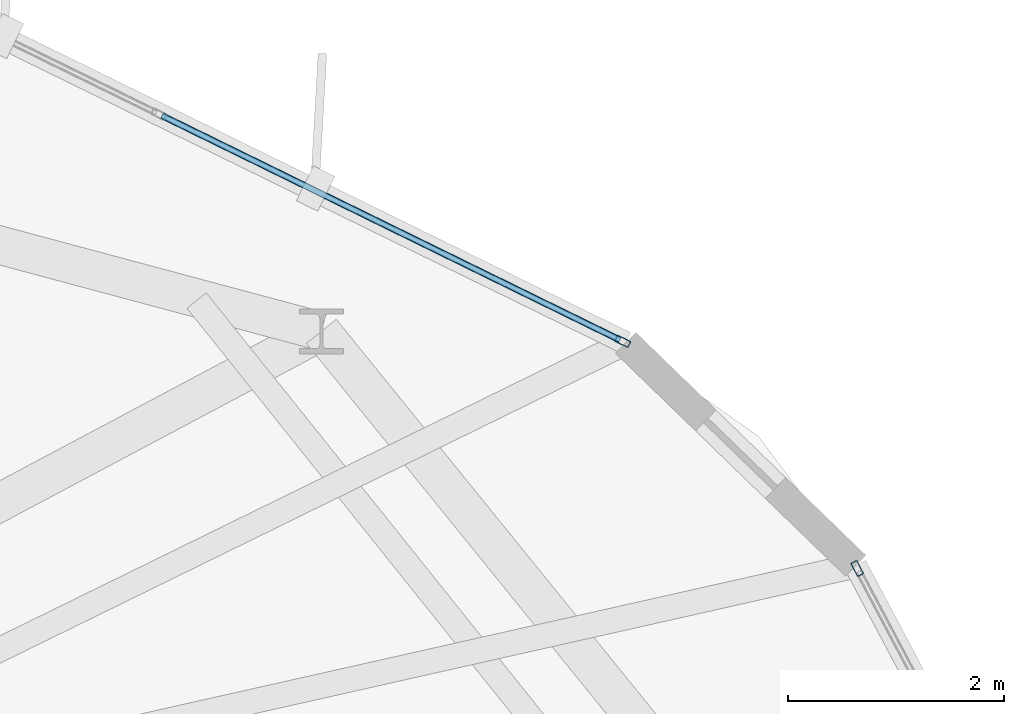
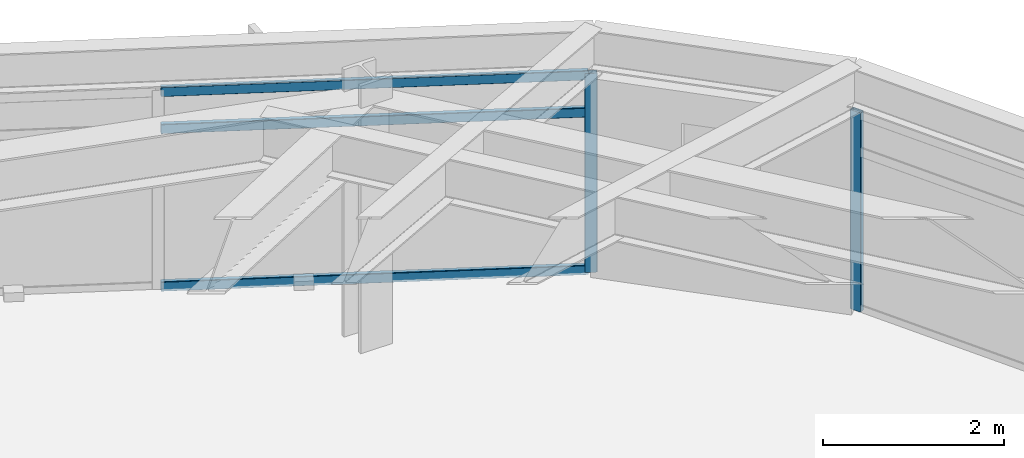
# One storey, part 21 of 28: 5 members, 2 elements without a shape of their own.
"""IFC4 building model written with IfcOpenShell, lengths in metres."""

from ifc_helpers import new_model, si_unit, direction, frame, origin, origin_2d, place, context, subcontext, project, spatial, hollow_rectangle, extrude, material, layer, layer_set, material_profile, profile_set, type_object, element, aggregate, save


model = new_model("IFC4")

# Units and contexts
model_context = context("Model", 3, precision=1e-05, world=origin(), true_north=direction((0.0, 1.0)))
body_context = subcontext(model_context, "Body", "Model", "MODEL_VIEW")
ifc_project = project(units=[si_unit("LENGTHUNIT", "METRE"), si_unit("AREAUNIT", "SQUARE_METRE"), si_unit("VOLUMEUNIT", "CUBIC_METRE"), si_unit("PLANEANGLEUNIT", "RADIAN"), si_unit("MASSUNIT", "GRAM", prefix="KILO")], contexts=[model_context])

# Site, building, storey
site_placement = place(None, origin())
site = spatial("IfcSite", under=ifc_project, at=site_placement, CompositionType="ELEMENT")
building_placement = place(site_placement, origin())
building = spatial("IfcBuilding", under=site, at=building_placement, Name="Soratama Intermodal Tower", CompositionType="ELEMENT")
storey_placement = place(building_placement, frame((0.0, 0.0, 201.39990234375)))
storey = spatial("IfcBuildingStorey", under=building, at=storey_placement, Name="L50", CompositionType="ELEMENT", Elevation=201.39990234375)

# Curtain wall, member
ifc_material_1 = material(Name="Double-glazed aluminium curtain wall", Category="aluminium")
ifc_layer = layer(ifc_material_1, 0.159912109375)
ifc_layer_set = layer_set([ifc_layer], Name="Double-glazed aluminium curtain wall")
curtain_wall_type = type_object("IfcCurtainWallType", Name="CW-SYS-5", PredefinedType="NOTDEFINED", material=ifc_layer_set)
curtain_wall_1_placement = place(storey_placement, origin())
curtain_wall_1 = element("IfcCurtainWall", 1, at=curtain_wall_1_placement, inside=storey, type_object=curtain_wall_type, Name="L50 Faceted Curtain Wall F01", PredefinedType="NOTDEFINED")
ifc_material_2 = material(Name="Anodised aluminium AA 6063-T6", Category="aluminium")
ifc_material_profile_1 = material_profile(ifc_material_2, hollow_rectangle(XDim=0.06494140625, YDim=0.139892578125, WallThickness=0.0048828125, InnerFilletRadius=0.0048828125, OuterFilletRadius=0.010009765625, at=origin_2d()), Name="CWM140X65X5")
ifc_profile_set_1 = profile_set([ifc_material_profile_1], Name="Anodised aluminium AA 6063-T6")
member_type_1 = type_object("IfcMemberType", Name="MT-CWM-5", PredefinedType="MULLION", material=ifc_profile_set_1)
member_1_placement = place(storey_placement, frame((57.921630859375, 40.506591796875, 0.0), z_axis=(0.0, 0.0, 1.0), x_axis=(-0.439937909468, -0.898028193217, 0.0)))
member_1 = element("IfcMember", 2, at=member_1_placement, type_object=member_type_1, Name="CW-5 mullion 1", PredefinedType="MULLION", context=body_context, shape_type="SweptSolid", body=[
    extrude(hollow_rectangle(XDim=0.06494140625, YDim=0.139892578125, WallThickness=0.0048828125, InnerFilletRadius=0.0048828125, OuterFilletRadius=0.010009765625, at=origin_2d()), origin(), (0.0, 0.0, 1.0), 2.67919921875),
])

curtain_wall_2_placement = place(storey_placement, origin())
curtain_wall_2 = element("IfcCurtainWall", 3, at=curtain_wall_2_placement, inside=storey, type_object=curtain_wall_type, Name="L50 Faceted Curtain Wall F10", PredefinedType="NOTDEFINED")
member_2_placement = place(storey_placement, frame((60.093017578125, 38.40234375, 0.0), z_axis=(0.0, 0.0, 1.0), x_axis=(-0.883764662707, -0.467931641321, 0.0)))
member_2 = element("IfcMember", 4, at=member_2_placement, type_object=member_type_1, Name="CW-5 mullion 3", PredefinedType="MULLION", context=body_context, shape_type="SweptSolid", body=[
    extrude(hollow_rectangle(XDim=0.06494140625, YDim=0.139892578125, WallThickness=0.0048828125, InnerFilletRadius=0.0048828125, OuterFilletRadius=0.010009765625, at=origin_2d()), origin(), (0.0, 0.0, 1.0), 2.67919921875),
])
aggregate(curtain_wall_2, [member_2])

# Member
ifc_material_3 = material(Name="Anodised aluminium AA 6063-T6", Category="aluminium")
ifc_material_profile_2 = material_profile(ifc_material_3, hollow_rectangle(XDim=0.06005859375, YDim=0.1298828125, WallThickness=0.0048828125, InnerFilletRadius=0.0048828125, OuterFilletRadius=0.010009765625, at=origin_2d()), Name="CWT130X60X5")
ifc_profile_set_2 = profile_set([ifc_material_profile_2], Name="Anodised aluminium AA 6063-T6")
member_type_2 = type_object("IfcMemberType", Name="TT-CWT-2", PredefinedType="USERDEFINED", material=ifc_profile_set_2)
member_3_placement = place(storey_placement, frame((57.89453125, 40.519775390625, 0.030029296875), z_axis=(-0.898027275491, 0.439939782783, 0.0), x_axis=(-0.439939782783, -0.898027275491, 0.0)))
member_3 = element("IfcMember", 5, at=member_3_placement, type_object=member_type_2, Name="CW-5 transom 1.1", ObjectType="TRANSOM", PredefinedType="USERDEFINED", context=body_context, shape_type="SweptSolid", body=[
    extrude(hollow_rectangle(XDim=0.06005859375, YDim=0.1298828125, WallThickness=0.0048828125, InnerFilletRadius=0.0048828125, OuterFilletRadius=0.010009765625, at=origin_2d()), origin(), (0.0, 0.0, 1.0), 4.721923828125),
])

member_4_placement = place(storey_placement, frame((57.89453125, 40.519775390625, 2.150146484375), z_axis=(-0.898027275491, 0.439939782783, 0.0), x_axis=(-0.439939782783, -0.898027275491, 0.0)))
member_4 = element("IfcMember", 6, at=member_4_placement, type_object=member_type_2, Name="CW-5 transom 1.2", ObjectType="TRANSOM", PredefinedType="USERDEFINED", context=body_context, shape_type="SweptSolid", body=[
    extrude(hollow_rectangle(XDim=0.06005859375, YDim=0.1298828125, WallThickness=0.0048828125, InnerFilletRadius=0.0048828125, OuterFilletRadius=0.010009765625, at=origin_2d()), origin(), (0.0, 0.0, 1.0), 4.721923828125),
])

member_5_placement = place(storey_placement, frame((57.89453125, 40.519775390625, 2.649169921875), z_axis=(-0.898027275491, 0.439939782783, 0.0), x_axis=(-0.439939782783, -0.898027275491, 0.0)))
member_5 = element("IfcMember", 7, at=member_5_placement, type_object=member_type_2, Name="CW-5 transom 1.3", ObjectType="TRANSOM", PredefinedType="USERDEFINED", context=body_context, shape_type="SweptSolid", body=[
    extrude(hollow_rectangle(XDim=0.06005859375, YDim=0.1298828125, WallThickness=0.0048828125, InnerFilletRadius=0.0048828125, OuterFilletRadius=0.010009765625, at=origin_2d()), origin(), (0.0, 0.0, 1.0), 4.721923828125),
])

aggregate(curtain_wall_1, [member_1, member_3, member_4, member_5])

save(model, "model.ifc")
